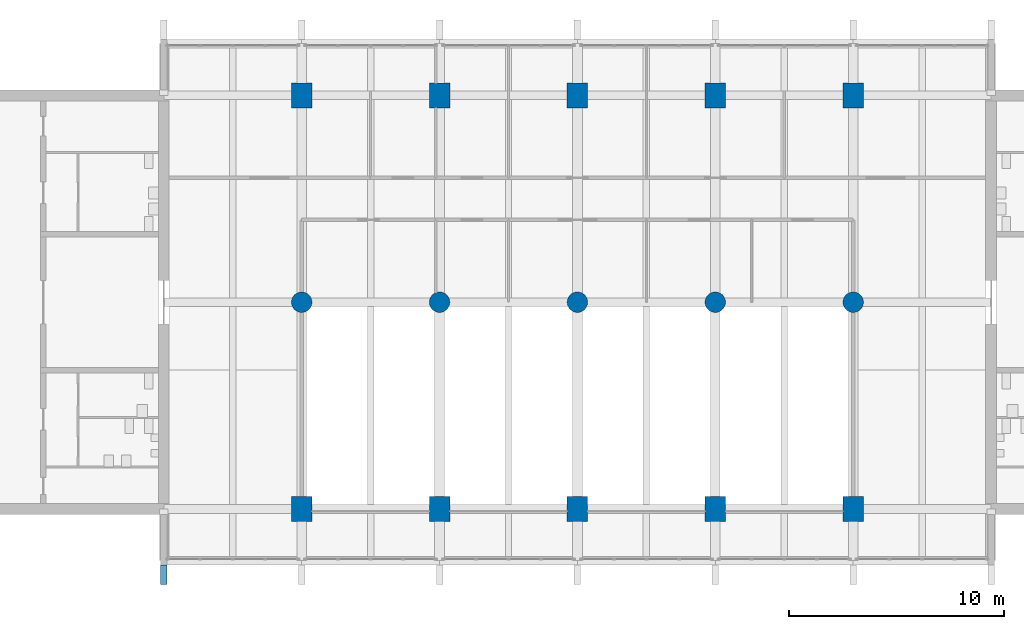
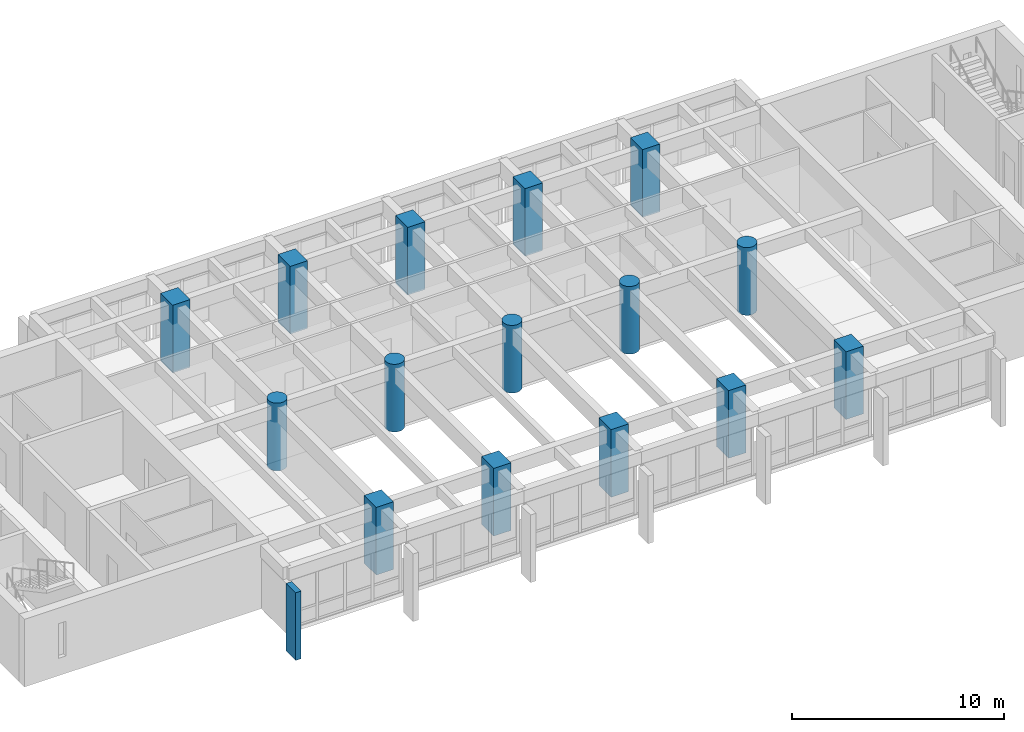
# One storey, part 1 of 15: 15 columns, 1 member.
"""IFC4 building model written with IfcOpenShell, lengths in metres."""

from ifc_helpers import new_model, si_unit, direction, frame, origin, origin_2d, place, context, subcontext, project, spatial, rectangle, circle, extrude, material, material_profile, profile_set, type_object, element, save


model = new_model("IFC4")

# Units and contexts
model_context = context("Model", 3, precision=1e-05, world=origin(), true_north=direction((0.0, 1.0)))
body_context = subcontext(model_context, "Body", "Model", "MODEL_VIEW")
ifc_project = project(units=[si_unit("LENGTHUNIT", "METRE"), si_unit("AREAUNIT", "SQUARE_METRE"), si_unit("VOLUMEUNIT", "CUBIC_METRE"), si_unit("PLANEANGLEUNIT", "RADIAN"), si_unit("MASSUNIT", "GRAM", prefix="KILO")], contexts=[model_context])

# Site, building, storey
site_placement = place(None, origin())
site = spatial("IfcSite", under=ifc_project, at=site_placement, CompositionType="ELEMENT")
building_placement = place(site_placement, origin())
building = spatial("IfcBuilding", under=site, at=building_placement, Name="Fogon Plaza Fire Station and Headquarters Tower", CompositionType="ELEMENT")
storey_placement = place(building_placement, frame((0.0, 0.0, 36.60009765625)))
storey = spatial("IfcBuildingStorey", under=building, at=storey_placement, Name="L09", CompositionType="ELEMENT", Elevation=36.60009765625)

# Columns
ifc_material_1 = material(Name="Concrete C40", Category="concrete")
ifc_material_profile_1 = material_profile(ifc_material_1, rectangle(XDim=0.949951171875, YDim=1.14990234375, at=origin_2d()), Name="RC 950x1150")
ifc_profile_set_1 = profile_set([ifc_material_profile_1], Name="Concrete C40")
column_type_1 = type_object("IfcColumnType", Name="COLUMN RC 950x1150", PredefinedType="COLUMN", material=ifc_profile_set_1)
for number, where, z_axis, x_axis, name in (
    (1, (32.0, 33.60009765625, 0.0), (0.0, 0.0, 1.0), (1.0, 0.0, 0.0), "col-L09-4E"),
    (2, (32.0, 52.800048828125, 0.0), (0.0, 0.0, 1.0), (1.0, 0.0, 0.0), "col-L09-4G"),
    (3, (38.39990234375, 33.60009765625, 0.0), (0.0, 0.0, 1.0), (1.0, 0.0, 0.0), "col-L09-5E"),
    (4, (38.39990234375, 52.800048828125, 0.0), (0.0, 0.0, 1.0), (1.0, 0.0, 0.0), "col-L09-5G"),
    (5, (44.800048828125, 33.60009765625, 0.0), (0.0, 0.0, 1.0), (1.0, 0.0, 0.0), "col-L09-6E"),
    (6, (44.800048828125, 52.800048828125, 0.0), (0.0, 0.0, 1.0), (1.0, 0.0, 0.0), "col-L09-6G"),
    (7, (51.199951171875, 33.60009765625, 0.0), (0.0, 0.0, 1.0), (1.0, 0.0, 0.0), "col-L09-7E"),
    (8, (51.199951171875, 52.800048828125, 0.0), (0.0, 0.0, 1.0), (1.0, 0.0, 0.0), "col-L09-7G"),
    (9, (57.60009765625, 33.60009765625, 0.0), (0.0, 0.0, 1.0), (1.0, 0.0, 0.0), "col-L09-8E"),
    (10, (57.60009765625, 52.800048828125, 0.0), (0.0, 0.0, 1.0), (1.0, 0.0, 0.0), "col-L09-8G"),
):
    element("IfcColumn", number, at=place(storey_placement, frame(where, z_axis=z_axis, x_axis=x_axis)), inside=storey, type_object=column_type_1, Name=name, PredefinedType="COLUMN", context=body_context, shape_type="SweptSolid", body=[
        extrude(rectangle(XDim=0.949951171875, YDim=1.14990234375, at=origin_2d()), origin(), (0.0, 0.0, 1.0), 3.89990234375),
    ])
ifc_material_2 = material(Name="Concrete C40", Category="concrete")
ifc_material_profile_2 = material_profile(ifc_material_2, circle(Radius=0.47509765625, at=origin_2d()), Name="RC D950")
ifc_profile_set_2 = profile_set([ifc_material_profile_2], Name="Concrete C40")
column_type_2 = type_object("IfcColumnType", Name="COLUMN RC D950", PredefinedType="COLUMN", material=ifc_profile_set_2)
for number, where, z_axis, x_axis, name in (
    (11, (32.0, 43.199951171875, 0.0), (0.0, 0.0, 1.0), (1.0, 0.0, 0.0), "col-L09-4F"),
    (12, (38.39990234375, 43.199951171875, 0.0), (0.0, 0.0, 1.0), (1.0, 0.0, 0.0), "col-L09-5F"),
    (13, (44.800048828125, 43.199951171875, 0.0), (0.0, 0.0, 1.0), (1.0, 0.0, 0.0), "col-L09-6F"),
    (14, (51.199951171875, 43.199951171875, 0.0), (0.0, 0.0, 1.0), (1.0, 0.0, 0.0), "col-L09-7F"),
    (15, (57.60009765625, 43.199951171875, 0.0), (0.0, 0.0, 1.0), (1.0, 0.0, 0.0), "col-L09-8F"),
):
    element("IfcColumn", number, at=place(storey_placement, frame(where, z_axis=z_axis, x_axis=x_axis)), inside=storey, type_object=column_type_2, Name=name, PredefinedType="COLUMN", context=body_context, shape_type="SweptSolid", body=[
        extrude(circle(Radius=0.47509765625, at=origin_2d()), origin(), (0.0, 0.0, 1.0), 3.89990234375),
    ])

# Member
ifc_material_3 = material(Name="Concrete C40 precast", Category="concrete")
ifc_material_profile_3 = material_profile(ifc_material_3, rectangle(XDim=0.300048828125, YDim=0.89990234375, at=origin_2d()), Name="Precast Concrete Post 300x900")
ifc_profile_set_3 = profile_set([ifc_material_profile_3], Name="Concrete C40 precast")
member_type = type_object("IfcMemberType", Name="Precast Concrete Post 300x900", PredefinedType="POST", material=ifc_profile_set_3)
member_placement = place(storey_placement, frame((25.60009765625, 30.550048828125, -1.02001953125), z_axis=(0.0, 0.0, 1.0), x_axis=(1.0, 0.0, 0.0)))
element("IfcMember", 16, at=member_placement, inside=storey, type_object=member_type, Name="Precast Post S L09", PredefinedType="POST", context=body_context, shape_type="SweptSolid", body=[
    extrude(rectangle(XDim=0.300048828125, YDim=0.89990234375, at=origin_2d()), origin(), (0.0, 0.0, 1.0), 3.89990234375),
])

save(model, "model.ifc")
